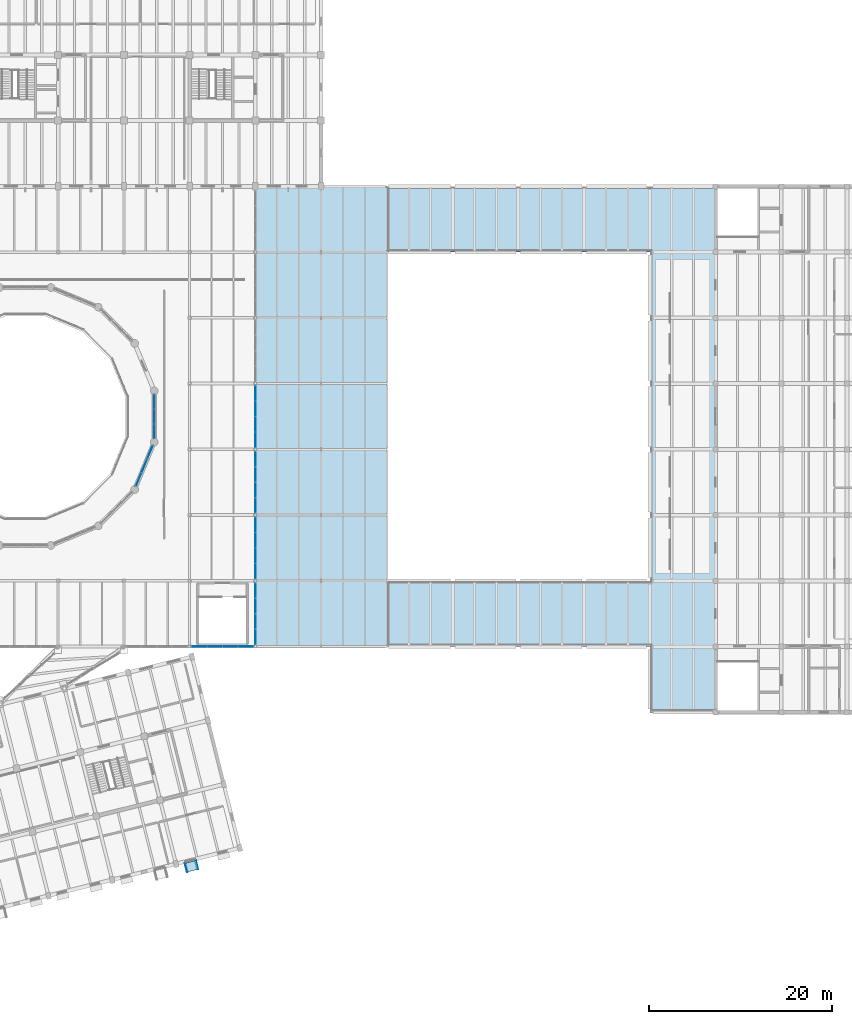
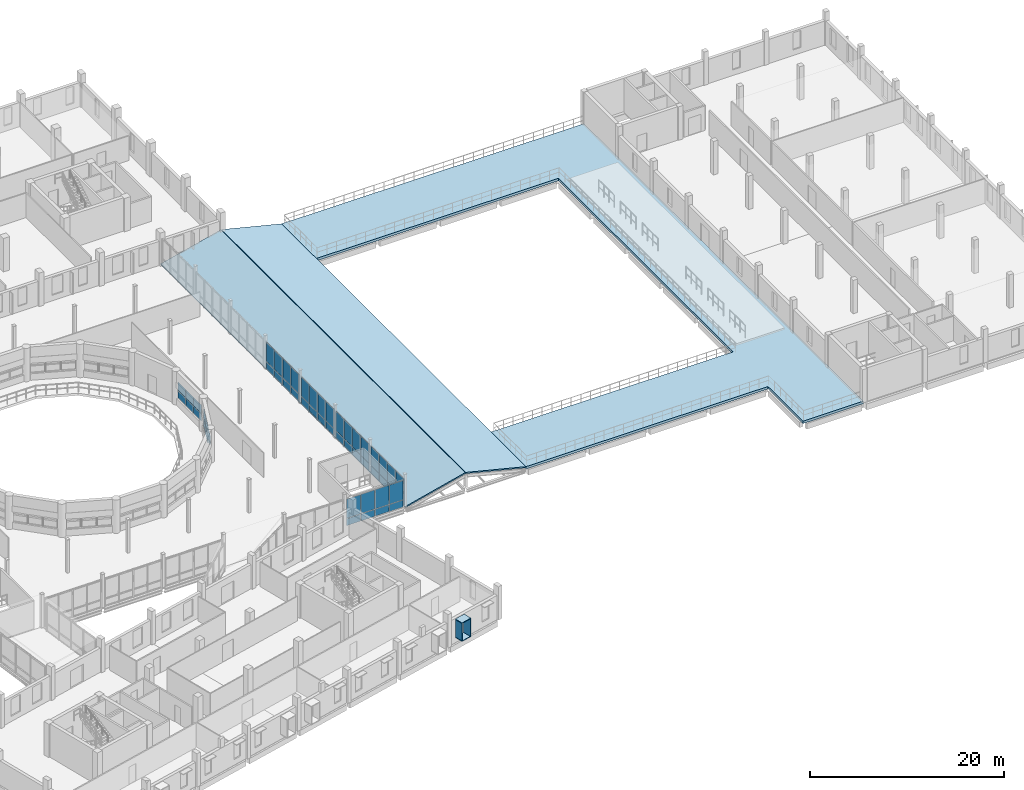
# One storey, part 41 of 63: 55 plates, 3 slabs, 7 elements without a shape of their own.
"""IFC4 building model written with IfcOpenShell, lengths in metres."""

from ifc_helpers import new_model, si_unit, direction, frame, frame_2d, origin, origin_2d, place, context, subcontext, project, spatial, polyline, rectangle, outline, extrude, material, layer, layer_set, type_object, element, aggregate, save


model = new_model("IFC4")

# Units and contexts
model_context = context("Model", 3, precision=1e-05, world=origin(), true_north=direction((0.0, 1.0)))
body_context = subcontext(model_context, "Body", "Model", "MODEL_VIEW")
ifc_project = project(units=[si_unit("LENGTHUNIT", "METRE"), si_unit("AREAUNIT", "SQUARE_METRE"), si_unit("VOLUMEUNIT", "CUBIC_METRE"), si_unit("PLANEANGLEUNIT", "RADIAN"), si_unit("MASSUNIT", "GRAM", prefix="KILO")], contexts=[model_context])

# Site, building, storey
site_placement = place(None, origin())
site = spatial("IfcSite", under=ifc_project, at=site_placement, CompositionType="ELEMENT")
building_placement = place(site_placement, origin())
building = spatial("IfcBuilding", under=site, at=building_placement, Name="Qiaolan Assembly House", CompositionType="ELEMENT")
storey_placement = place(building_placement, frame((0.0, 0.0, 14.39990234375)))
storey = spatial("IfcBuildingStorey", under=building, at=storey_placement, Name="L03", CompositionType="ELEMENT", Elevation=14.39990234375)

# Curtain wall, plates
ifc_material_1 = material(Name="Anodised bronze aluminium", Category="aluminium")
curtain_wall_type_1 = type_object("IfcCurtainWallType", Name="CW-DRUM-CLERESTORY", PredefinedType="NOTDEFINED", material=ifc_material_1)
curtain_wall_1_placement = place(storey_placement, origin())
curtain_wall_1 = element("IfcCurtainWall", 1, at=curtain_wall_1_placement, inside=storey, type_object=curtain_wall_type_1, Name="CW-06 Council Chamber Drum Clerestory Curtain Wall 15", PredefinedType="NOTDEFINED")
ifc_material_2 = material(Name="Low-E double insulating glass", Category="glass")
ifc_layer_1 = layer(ifc_material_2, 0.02392578125)
ifc_layer_set_1 = layer_set([ifc_layer_1], Name="Low-E double insulating glass")
plate_type_1 = type_object("IfcPlateType", Name="CW-DRUM-CLERESTORY-PNL", PredefinedType="CURTAIN_PANEL", material=ifc_layer_set_1)
plate_1_placement = place(storey_placement, frame((82.368408203125, 58.0166015625, 0.85107421875), z_axis=(0.0, 0.0, 1.0), x_axis=(-0.382759291467, -0.923848106994, 0.0)))
plate_1 = element("IfcPlate", 2, at=plate_1_placement, type_object=plate_type_1, Name="GL-07 glazing panel CW-DRUM-CLER-14-1", PredefinedType="CURTAIN_PANEL", context=body_context, shape_type="SweptSolid", body=[
    extrude(rectangle(XDim=1.56982421875, YDim=0.02392578125, at=frame_2d((0.784912109375, 0.0))), origin(), (0.0, 0.0, 1.0), 0.8779296875),
])
plate_2_placement = place(storey_placement, frame((82.368408203125, 58.0166015625, 1.77099609375), z_axis=(0.0, 0.0, 1.0), x_axis=(-0.382759291467, -0.923848106994, 0.0)))
plate_2 = element("IfcPlate", 3, at=plate_2_placement, type_object=plate_type_1, Name="GL-07 glazing panel CW-DRUM-CLER-14-2", PredefinedType="CURTAIN_PANEL", context=body_context, shape_type="SweptSolid", body=[
    extrude(rectangle(XDim=1.56982421875, YDim=0.02392578125, at=frame_2d((0.784912109375, 0.0))), origin(), (0.0, 0.0, 1.0), 1.078125),
])
plate_3_placement = place(storey_placement, frame((81.74853515625, 56.520263671875, 0.85107421875), z_axis=(0.0, 0.0, 1.0), x_axis=(-0.382626535499, -0.923903097912, 0.0)))
plate_3 = element("IfcPlate", 4, at=plate_3_placement, type_object=plate_type_1, Name="GL-07 glazing panel CW-DRUM-CLER-14-3", PredefinedType="CURTAIN_PANEL", context=body_context, shape_type="SweptSolid", body=[
    extrude(rectangle(XDim=1.569580078125, YDim=0.02392578125, at=frame_2d((0.78466796875, 0.0))), origin(), (0.0, 0.0, 1.0), 0.8779296875),
])
plate_4_placement = place(storey_placement, frame((81.74853515625, 56.520263671875, 1.77099609375), z_axis=(0.0, 0.0, 1.0), x_axis=(-0.382626535499, -0.923903097912, 0.0)))
plate_4 = element("IfcPlate", 5, at=plate_4_placement, type_object=plate_type_1, Name="GL-07 glazing panel CW-DRUM-CLER-14-4", PredefinedType="CURTAIN_PANEL", context=body_context, shape_type="SweptSolid", body=[
    extrude(rectangle(XDim=1.569580078125, YDim=0.02392578125, at=frame_2d((0.78466796875, 0.0))), origin(), (0.0, 0.0, 1.0), 1.078125),
])
plate_5_placement = place(storey_placement, frame((81.128662109375, 55.02392578125, 1.77099609375), z_axis=(0.0, 0.0, 1.0), x_axis=(-0.382681527377, -0.923880321581, 0.0)))
plate_5 = element("IfcPlate", 6, at=plate_5_placement, type_object=plate_type_1, Name="GL-07 glazing panel CW-DRUM-CLER-14-6", PredefinedType="CURTAIN_PANEL", context=body_context, shape_type="SweptSolid", body=[
    extrude(rectangle(XDim=1.5693359375, YDim=0.02392578125, at=frame_2d((0.78466796875, 0.0))), origin(), (0.0, 0.0, 1.0), 1.078125),
])
aggregate(curtain_wall_1, [plate_1, plate_2, plate_3, plate_4, plate_5])

curtain_wall_2_placement = place(storey_placement, origin())
curtain_wall_2 = element("IfcCurtainWall", 7, at=curtain_wall_2_placement, inside=storey, type_object=curtain_wall_type_1, Name="CW-06 Council Chamber Drum Clerestory Curtain Wall 16", PredefinedType="NOTDEFINED")
plate_6_placement = place(storey_placement, frame((82.523193359375, 63.604248046875, 0.85107421875), z_axis=(0.0, 0.0, 1.0), x_axis=(0.0, -1.0, 0.0)))
plate_6 = element("IfcPlate", 8, at=plate_6_placement, type_object=plate_type_1, Name="GL-07 glazing panel CW-DRUM-CLER-15-1", PredefinedType="CURTAIN_PANEL", context=body_context, shape_type="SweptSolid", body=[
    extrude(rectangle(XDim=1.5693359375, YDim=0.02392578125, at=frame_2d((0.78466796875, 0.0))), origin(), (0.0, 0.0, 1.0), 0.8779296875),
])
plate_7_placement = place(storey_placement, frame((82.523193359375, 63.604248046875, 1.77099609375), z_axis=(0.0, 0.0, 1.0), x_axis=(0.0, -1.0, 0.0)))
plate_7 = element("IfcPlate", 9, at=plate_7_placement, type_object=plate_type_1, Name="GL-07 glazing panel CW-DRUM-CLER-15-2", PredefinedType="CURTAIN_PANEL", context=body_context, shape_type="SweptSolid", body=[
    extrude(rectangle(XDim=1.5693359375, YDim=0.02392578125, at=frame_2d((0.78466796875, 0.0))), origin(), (0.0, 0.0, 1.0), 1.078125),
])
plate_8_placement = place(storey_placement, frame((82.523193359375, 61.98486328125, 0.85107421875), z_axis=(0.0, 0.0, 1.0), x_axis=(0.0, -1.0, 0.0)))
plate_8 = element("IfcPlate", 10, at=plate_8_placement, type_object=plate_type_1, Name="GL-07 glazing panel CW-DRUM-CLER-15-3", PredefinedType="CURTAIN_PANEL", context=body_context, shape_type="SweptSolid", body=[
    extrude(rectangle(XDim=1.569580078125, YDim=0.02392578125, at=frame_2d((0.78466796875, 0.0))), origin(), (0.0, 0.0, 1.0), 0.8779296875),
])
plate_9_placement = place(storey_placement, frame((82.523193359375, 61.98486328125, 1.77099609375), z_axis=(0.0, 0.0, 1.0), x_axis=(0.0, -1.0, 0.0)))
plate_9 = element("IfcPlate", 11, at=plate_9_placement, type_object=plate_type_1, Name="GL-07 glazing panel CW-DRUM-CLER-15-4", PredefinedType="CURTAIN_PANEL", context=body_context, shape_type="SweptSolid", body=[
    extrude(rectangle(XDim=1.569580078125, YDim=0.02392578125, at=frame_2d((0.78466796875, 0.0))), origin(), (0.0, 0.0, 1.0), 1.078125),
])
plate_10_placement = place(storey_placement, frame((82.523193359375, 60.365234375, 0.85107421875), z_axis=(0.0, 0.0, 1.0), x_axis=(0.0, -1.0, 0.0)))
plate_10 = element("IfcPlate", 12, at=plate_10_placement, type_object=plate_type_1, Name="GL-07 glazing panel CW-DRUM-CLER-15-5", PredefinedType="CURTAIN_PANEL", context=body_context, shape_type="SweptSolid", body=[
    extrude(rectangle(XDim=1.569580078125, YDim=0.02392578125, at=frame_2d((0.78466796875, 0.0))), origin(), (0.0, 0.0, 1.0), 0.8779296875),
])
plate_11_placement = place(storey_placement, frame((82.523193359375, 60.365234375, 1.77099609375), z_axis=(0.0, 0.0, 1.0), x_axis=(0.0, -1.0, 0.0)))
plate_11 = element("IfcPlate", 13, at=plate_11_placement, type_object=plate_type_1, Name="GL-07 glazing panel CW-DRUM-CLER-15-6", PredefinedType="CURTAIN_PANEL", context=body_context, shape_type="SweptSolid", body=[
    extrude(rectangle(XDim=1.569580078125, YDim=0.02392578125, at=frame_2d((0.78466796875, 0.0))), origin(), (0.0, 0.0, 1.0), 1.078125),
])
aggregate(curtain_wall_2, [plate_6, plate_7, plate_8, plate_9, plate_10, plate_11])

curtain_wall_type_2 = type_object("IfcCurtainWallType", Name="CW-HALL-CONC-420", PredefinedType="NOTDEFINED", material=ifc_material_1)
curtain_wall_3_placement = place(storey_placement, origin())
curtain_wall_3 = element("IfcCurtainWall", 14, at=curtain_wall_3_placement, inside=storey, type_object=curtain_wall_type_2, Name="CW-07 L03 Concourse South CW 7", PredefinedType="NOTDEFINED")
ifc_layer_2 = layer(ifc_material_2, 0.031005859375)
ifc_layer_set_2 = layer_set([ifc_layer_2], Name="Low-E double insulating glass")
plate_type_2 = type_object("IfcPlateType", Name="CW-HALL-CONC-420-PNL", PredefinedType="CURTAIN_PANEL", material=ifc_layer_set_2)
plate_12_placement = place(storey_placement, frame((86.64306640625, 36.0, 0.05810546875), z_axis=(0.0, 0.0, 1.0), x_axis=(1.0, 0.0, 0.0)))
plate_12 = element("IfcPlate", 15, at=plate_12_placement, type_object=plate_type_2, Name="GL-03 glazing panel CW-HLC-S-06-1", PredefinedType="CURTAIN_PANEL", context=body_context, shape_type="SweptSolid", body=[
    extrude(rectangle(XDim=1.62890625, YDim=0.031005859375, at=frame_2d((0.814453125, 0.0))), origin(), (0.0, 0.0, 1.0), 0.864013671875),
])
plate_13_placement = place(storey_placement, frame((86.64306640625, 36.0, 0.97802734375), z_axis=(0.0, 0.0, 1.0), x_axis=(1.0, 0.0, 0.0)))
plate_13 = element("IfcPlate", 16, at=plate_13_placement, type_object=plate_type_2, Name="GL-03 glazing panel CW-HLC-S-06-2", PredefinedType="CURTAIN_PANEL", context=body_context, shape_type="SweptSolid", body=[
    extrude(rectangle(XDim=1.62890625, YDim=0.031005859375, at=frame_2d((0.814453125, 0.0))), origin(), (0.0, 0.0, 1.0), 2.4140625),
])
plate_14_placement = place(storey_placement, frame((88.337890625, 36.0, 0.05810546875), z_axis=(0.0, 0.0, 1.0), x_axis=(1.0, 0.0, 0.0)))
plate_14 = element("IfcPlate", 17, at=plate_14_placement, type_object=plate_type_2, Name="GL-03 glazing panel CW-HLC-S-06-3", PredefinedType="CURTAIN_PANEL", context=body_context, shape_type="SweptSolid", body=[
    extrude(rectangle(XDim=1.629150390625, YDim=0.031005859375, at=frame_2d((0.814453125, 0.0))), origin(), (0.0, 0.0, 1.0), 0.864013671875),
])
plate_15_placement = place(storey_placement, frame((88.337890625, 36.0, 0.97802734375), z_axis=(0.0, 0.0, 1.0), x_axis=(1.0, 0.0, 0.0)))
plate_15 = element("IfcPlate", 18, at=plate_15_placement, type_object=plate_type_2, Name="GL-03 glazing panel CW-HLC-S-06-4", PredefinedType="CURTAIN_PANEL", context=body_context, shape_type="SweptSolid", body=[
    extrude(rectangle(XDim=1.629150390625, YDim=0.031005859375, at=frame_2d((0.814453125, 0.0))), origin(), (0.0, 0.0, 1.0), 2.4140625),
])
plate_16_placement = place(storey_placement, frame((90.032958984375, 36.0, 0.05810546875), z_axis=(0.0, 0.0, 1.0), x_axis=(1.0, 0.0, 0.0)))
plate_16 = element("IfcPlate", 19, at=plate_16_placement, type_object=plate_type_2, Name="GL-03 glazing panel CW-HLC-S-06-5", PredefinedType="CURTAIN_PANEL", context=body_context, shape_type="SweptSolid", body=[
    extrude(rectangle(XDim=1.629150390625, YDim=0.031005859375, at=frame_2d((0.814453125, 0.0))), origin(), (0.0, 0.0, 1.0), 0.864013671875),
])
plate_17_placement = place(storey_placement, frame((90.032958984375, 36.0, 0.97802734375), z_axis=(0.0, 0.0, 1.0), x_axis=(1.0, 0.0, 0.0)))
plate_17 = element("IfcPlate", 20, at=plate_17_placement, type_object=plate_type_2, Name="GL-03 glazing panel CW-HLC-S-06-6", PredefinedType="CURTAIN_PANEL", context=body_context, shape_type="SweptSolid", body=[
    extrude(rectangle(XDim=1.629150390625, YDim=0.031005859375, at=frame_2d((0.814453125, 0.0))), origin(), (0.0, 0.0, 1.0), 2.4140625),
])
plate_18_placement = place(storey_placement, frame((91.72802734375, 36.0, 0.05810546875), z_axis=(0.0, 0.0, 1.0), x_axis=(1.0, 0.0, 0.0)))
plate_18 = element("IfcPlate", 21, at=plate_18_placement, type_object=plate_type_2, Name="GL-03 glazing panel CW-HLC-S-06-7", PredefinedType="CURTAIN_PANEL", context=body_context, shape_type="SweptSolid", body=[
    extrude(rectangle(XDim=1.62890625, YDim=0.031005859375, at=frame_2d((0.814453125, 0.0))), origin(), (0.0, 0.0, 1.0), 0.864013671875),
])
plate_19_placement = place(storey_placement, frame((91.72802734375, 36.0, 0.97802734375), z_axis=(0.0, 0.0, 1.0), x_axis=(1.0, 0.0, 0.0)))
plate_19 = element("IfcPlate", 22, at=plate_19_placement, type_object=plate_type_2, Name="GL-03 glazing panel CW-HLC-S-06-8", PredefinedType="CURTAIN_PANEL", context=body_context, shape_type="SweptSolid", body=[
    extrude(rectangle(XDim=1.62890625, YDim=0.031005859375, at=frame_2d((0.814453125, 0.0))), origin(), (0.0, 0.0, 1.0), 2.4140625),
])
aggregate(curtain_wall_3, [plate_12, plate_13, plate_14, plate_15, plate_16, plate_17, plate_18, plate_19])

curtain_wall_4_placement = place(storey_placement, origin())
curtain_wall_4 = element("IfcCurtainWall", 23, at=curtain_wall_4_placement, inside=storey, type_object=curtain_wall_type_2, Name="CW-07 L03 Concourse East CW 1", PredefinedType="NOTDEFINED")
plate_20_placement = place(storey_placement, frame((93.60009765625, 42.95703125, 0.05810546875), z_axis=(0.0, 0.0, 1.0), x_axis=(0.0, -1.0, 0.0)))
plate_20 = element("IfcPlate", 24, at=plate_20_placement, type_object=plate_type_2, Name="GL-03 glazing panel CW-HLC-E-00-1", PredefinedType="CURTAIN_PANEL", context=body_context, shape_type="SweptSolid", body=[
    extrude(rectangle(XDim=1.629150390625, YDim=0.031005859375, at=frame_2d((0.814453125, 0.0))), origin(), (0.0, 0.0, 1.0), 0.864013671875),
])
plate_21_placement = place(storey_placement, frame((93.60009765625, 42.95703125, 0.97802734375), z_axis=(0.0, 0.0, 1.0), x_axis=(0.0, -1.0, 0.0)))
plate_21 = element("IfcPlate", 25, at=plate_21_placement, type_object=plate_type_2, Name="GL-03 glazing panel CW-HLC-E-00-2", PredefinedType="CURTAIN_PANEL", context=body_context, shape_type="SweptSolid", body=[
    extrude(rectangle(XDim=1.629150390625, YDim=0.031005859375, at=frame_2d((0.814453125, 0.0))), origin(), (0.0, 0.0, 1.0), 2.4140625),
])
plate_22_placement = place(storey_placement, frame((93.60009765625, 41.261962890625, 0.05810546875), z_axis=(0.0, 0.0, 1.0), x_axis=(0.0, -1.0, 0.0)))
plate_22 = element("IfcPlate", 26, at=plate_22_placement, type_object=plate_type_2, Name="GL-03 glazing panel CW-HLC-E-00-3", PredefinedType="CURTAIN_PANEL", context=body_context, shape_type="SweptSolid", body=[
    extrude(rectangle(XDim=1.62890625, YDim=0.031005859375, at=frame_2d((0.814453125, 0.0))), origin(), (0.0, 0.0, 1.0), 0.864013671875),
])
plate_23_placement = place(storey_placement, frame((93.60009765625, 41.261962890625, 0.97802734375), z_axis=(0.0, 0.0, 1.0), x_axis=(0.0, -1.0, 0.0)))
plate_23 = element("IfcPlate", 27, at=plate_23_placement, type_object=plate_type_2, Name="GL-03 glazing panel CW-HLC-E-00-4", PredefinedType="CURTAIN_PANEL", context=body_context, shape_type="SweptSolid", body=[
    extrude(rectangle(XDim=1.62890625, YDim=0.031005859375, at=frame_2d((0.814453125, 0.0))), origin(), (0.0, 0.0, 1.0), 2.4140625),
])
plate_24_placement = place(storey_placement, frame((93.60009765625, 39.56689453125, 0.05810546875), z_axis=(0.0, 0.0, 1.0), x_axis=(0.0, -1.0, 0.0)))
plate_24 = element("IfcPlate", 28, at=plate_24_placement, type_object=plate_type_2, Name="GL-03 glazing panel CW-HLC-E-00-5", PredefinedType="CURTAIN_PANEL", context=body_context, shape_type="SweptSolid", body=[
    extrude(rectangle(XDim=1.62890625, YDim=0.031005859375, at=frame_2d((0.814453125, 0.0))), origin(), (0.0, 0.0, 1.0), 0.864013671875),
])
plate_25_placement = place(storey_placement, frame((93.60009765625, 39.56689453125, 0.97802734375), z_axis=(0.0, 0.0, 1.0), x_axis=(0.0, -1.0, 0.0)))
plate_25 = element("IfcPlate", 29, at=plate_25_placement, type_object=plate_type_2, Name="GL-03 glazing panel CW-HLC-E-00-6", PredefinedType="CURTAIN_PANEL", context=body_context, shape_type="SweptSolid", body=[
    extrude(rectangle(XDim=1.62890625, YDim=0.031005859375, at=frame_2d((0.814453125, 0.0))), origin(), (0.0, 0.0, 1.0), 2.4140625),
])
plate_26_placement = place(storey_placement, frame((93.60009765625, 37.8720703125, 0.05810546875), z_axis=(0.0, 0.0, 1.0), x_axis=(0.0, -1.0, 0.0)))
plate_26 = element("IfcPlate", 30, at=plate_26_placement, type_object=plate_type_2, Name="GL-03 glazing panel CW-HLC-E-00-7", PredefinedType="CURTAIN_PANEL", context=body_context, shape_type="SweptSolid", body=[
    extrude(rectangle(XDim=1.629150390625, YDim=0.031005859375, at=frame_2d((0.814453125, 0.0))), origin(), (0.0, 0.0, 1.0), 0.864013671875),
])
plate_27_placement = place(storey_placement, frame((93.60009765625, 37.8720703125, 0.97802734375), z_axis=(0.0, 0.0, 1.0), x_axis=(0.0, -1.0, 0.0)))
plate_27 = element("IfcPlate", 31, at=plate_27_placement, type_object=plate_type_2, Name="GL-03 glazing panel CW-HLC-E-00-8", PredefinedType="CURTAIN_PANEL", context=body_context, shape_type="SweptSolid", body=[
    extrude(rectangle(XDim=1.629150390625, YDim=0.031005859375, at=frame_2d((0.814453125, 0.0))), origin(), (0.0, 0.0, 1.0), 2.4140625),
])
aggregate(curtain_wall_4, [plate_20, plate_21, plate_22, plate_23, plate_24, plate_25, plate_26, plate_27])

curtain_wall_5_placement = place(storey_placement, origin())
curtain_wall_5 = element("IfcCurtainWall", 32, at=curtain_wall_5_placement, inside=storey, type_object=curtain_wall_type_2, Name="CW-07 L03 Concourse East CW 2", PredefinedType="NOTDEFINED")
plate_28_placement = place(storey_placement, frame((93.60009765625, 50.156982421875, 0.05810546875), z_axis=(0.0, 0.0, 1.0), x_axis=(0.0, -1.0, 0.0)))
plate_28 = element("IfcPlate", 33, at=plate_28_placement, type_object=plate_type_2, Name="GL-03 glazing panel CW-HLC-E-01-1", PredefinedType="CURTAIN_PANEL", context=body_context, shape_type="SweptSolid", body=[
    extrude(rectangle(XDim=1.62890625, YDim=0.031005859375, at=frame_2d((0.814453125, 0.0))), origin(), (0.0, 0.0, 1.0), 0.864013671875),
])
plate_29_placement = place(storey_placement, frame((93.60009765625, 50.156982421875, 0.97802734375), z_axis=(0.0, 0.0, 1.0), x_axis=(0.0, -1.0, 0.0)))
plate_29 = element("IfcPlate", 34, at=plate_29_placement, type_object=plate_type_2, Name="GL-03 glazing panel CW-HLC-E-01-2", PredefinedType="CURTAIN_PANEL", context=body_context, shape_type="SweptSolid", body=[
    extrude(rectangle(XDim=1.62890625, YDim=0.031005859375, at=frame_2d((0.814453125, 0.0))), origin(), (0.0, 0.0, 1.0), 2.4140625),
])
plate_30_placement = place(storey_placement, frame((93.60009765625, 48.4619140625, 0.05810546875), z_axis=(0.0, 0.0, 1.0), x_axis=(0.0, -1.0, 0.0)))
plate_30 = element("IfcPlate", 35, at=plate_30_placement, type_object=plate_type_2, Name="GL-03 glazing panel CW-HLC-E-01-3", PredefinedType="CURTAIN_PANEL", context=body_context, shape_type="SweptSolid", body=[
    extrude(rectangle(XDim=1.62890625, YDim=0.031005859375, at=frame_2d((0.814453125, 0.0))), origin(), (0.0, 0.0, 1.0), 0.864013671875),
])
plate_31_placement = place(storey_placement, frame((93.60009765625, 48.4619140625, 0.97802734375), z_axis=(0.0, 0.0, 1.0), x_axis=(0.0, -1.0, 0.0)))
plate_31 = element("IfcPlate", 36, at=plate_31_placement, type_object=plate_type_2, Name="GL-03 glazing panel CW-HLC-E-01-4", PredefinedType="CURTAIN_PANEL", context=body_context, shape_type="SweptSolid", body=[
    extrude(rectangle(XDim=1.62890625, YDim=0.031005859375, at=frame_2d((0.814453125, 0.0))), origin(), (0.0, 0.0, 1.0), 2.4140625),
])
plate_32_placement = place(storey_placement, frame((93.60009765625, 46.76708984375, 0.05810546875), z_axis=(0.0, 0.0, 1.0), x_axis=(0.0, -1.0, 0.0)))
plate_32 = element("IfcPlate", 37, at=plate_32_placement, type_object=plate_type_2, Name="GL-03 glazing panel CW-HLC-E-01-5", PredefinedType="CURTAIN_PANEL", context=body_context, shape_type="SweptSolid", body=[
    extrude(rectangle(XDim=1.629150390625, YDim=0.031005859375, at=frame_2d((0.814453125, 0.0))), origin(), (0.0, 0.0, 1.0), 0.864013671875),
])
plate_33_placement = place(storey_placement, frame((93.60009765625, 46.76708984375, 0.97802734375), z_axis=(0.0, 0.0, 1.0), x_axis=(0.0, -1.0, 0.0)))
plate_33 = element("IfcPlate", 38, at=plate_33_placement, type_object=plate_type_2, Name="GL-03 glazing panel CW-HLC-E-01-6", PredefinedType="CURTAIN_PANEL", context=body_context, shape_type="SweptSolid", body=[
    extrude(rectangle(XDim=1.629150390625, YDim=0.031005859375, at=frame_2d((0.814453125, 0.0))), origin(), (0.0, 0.0, 1.0), 2.4140625),
])
plate_34_placement = place(storey_placement, frame((93.60009765625, 45.072021484375, 0.05810546875), z_axis=(0.0, 0.0, 1.0), x_axis=(0.0, -1.0, 0.0)))
plate_34 = element("IfcPlate", 39, at=plate_34_placement, type_object=plate_type_2, Name="GL-03 glazing panel CW-HLC-E-01-7", PredefinedType="CURTAIN_PANEL", context=body_context, shape_type="SweptSolid", body=[
    extrude(rectangle(XDim=1.62890625, YDim=0.031005859375, at=frame_2d((0.814453125, 0.0))), origin(), (0.0, 0.0, 1.0), 0.864013671875),
])
plate_35_placement = place(storey_placement, frame((93.60009765625, 45.072021484375, 0.97802734375), z_axis=(0.0, 0.0, 1.0), x_axis=(0.0, -1.0, 0.0)))
plate_35 = element("IfcPlate", 40, at=plate_35_placement, type_object=plate_type_2, Name="GL-03 glazing panel CW-HLC-E-01-8", PredefinedType="CURTAIN_PANEL", context=body_context, shape_type="SweptSolid", body=[
    extrude(rectangle(XDim=1.62890625, YDim=0.031005859375, at=frame_2d((0.814453125, 0.0))), origin(), (0.0, 0.0, 1.0), 2.4140625),
])
aggregate(curtain_wall_5, [plate_28, plate_29, plate_30, plate_31, plate_32, plate_33, plate_34, plate_35])

curtain_wall_6_placement = place(storey_placement, origin())
curtain_wall_6 = element("IfcCurtainWall", 41, at=curtain_wall_6_placement, inside=storey, type_object=curtain_wall_type_2, Name="CW-07 L03 Concourse East CW 3", PredefinedType="NOTDEFINED")
plate_36_placement = place(storey_placement, frame((93.60009765625, 57.35693359375, 0.05810546875), z_axis=(0.0, 0.0, 1.0), x_axis=(0.0, -1.0, 0.0)))
plate_36 = element("IfcPlate", 42, at=plate_36_placement, type_object=plate_type_2, Name="GL-03 glazing panel CW-HLC-E-02-1", PredefinedType="CURTAIN_PANEL", context=body_context, shape_type="SweptSolid", body=[
    extrude(rectangle(XDim=1.62890625, YDim=0.031005859375, at=frame_2d((0.814453125, 0.0))), origin(), (0.0, 0.0, 1.0), 0.864013671875),
])
plate_37_placement = place(storey_placement, frame((93.60009765625, 57.35693359375, 0.97802734375), z_axis=(0.0, 0.0, 1.0), x_axis=(0.0, -1.0, 0.0)))
plate_37 = element("IfcPlate", 43, at=plate_37_placement, type_object=plate_type_2, Name="GL-03 glazing panel CW-HLC-E-02-2", PredefinedType="CURTAIN_PANEL", context=body_context, shape_type="SweptSolid", body=[
    extrude(rectangle(XDim=1.62890625, YDim=0.031005859375, at=frame_2d((0.814453125, 0.0))), origin(), (0.0, 0.0, 1.0), 2.4140625),
])
plate_38_placement = place(storey_placement, frame((93.60009765625, 55.662109375, 0.05810546875), z_axis=(0.0, 0.0, 1.0), x_axis=(0.0, -1.0, 0.0)))
plate_38 = element("IfcPlate", 44, at=plate_38_placement, type_object=plate_type_2, Name="GL-03 glazing panel CW-HLC-E-02-3", PredefinedType="CURTAIN_PANEL", context=body_context, shape_type="SweptSolid", body=[
    extrude(rectangle(XDim=1.629150390625, YDim=0.031005859375, at=frame_2d((0.814453125, 0.0))), origin(), (0.0, 0.0, 1.0), 0.864013671875),
])
plate_39_placement = place(storey_placement, frame((93.60009765625, 55.662109375, 0.97802734375), z_axis=(0.0, 0.0, 1.0), x_axis=(0.0, -1.0, 0.0)))
plate_39 = element("IfcPlate", 45, at=plate_39_placement, type_object=plate_type_2, Name="GL-03 glazing panel CW-HLC-E-02-4", PredefinedType="CURTAIN_PANEL", context=body_context, shape_type="SweptSolid", body=[
    extrude(rectangle(XDim=1.629150390625, YDim=0.031005859375, at=frame_2d((0.814453125, 0.0))), origin(), (0.0, 0.0, 1.0), 2.4140625),
])
plate_40_placement = place(storey_placement, frame((93.60009765625, 53.967041015625, 0.05810546875), z_axis=(0.0, 0.0, 1.0), x_axis=(0.0, -1.0, 0.0)))
plate_40 = element("IfcPlate", 46, at=plate_40_placement, type_object=plate_type_2, Name="GL-03 glazing panel CW-HLC-E-02-5", PredefinedType="CURTAIN_PANEL", context=body_context, shape_type="SweptSolid", body=[
    extrude(rectangle(XDim=1.629150390625, YDim=0.031005859375, at=frame_2d((0.814453125, 0.0))), origin(), (0.0, 0.0, 1.0), 0.864013671875),
])
plate_41_placement = place(storey_placement, frame((93.60009765625, 53.967041015625, 0.97802734375), z_axis=(0.0, 0.0, 1.0), x_axis=(0.0, -1.0, 0.0)))
plate_41 = element("IfcPlate", 47, at=plate_41_placement, type_object=plate_type_2, Name="GL-03 glazing panel CW-HLC-E-02-6", PredefinedType="CURTAIN_PANEL", context=body_context, shape_type="SweptSolid", body=[
    extrude(rectangle(XDim=1.629150390625, YDim=0.031005859375, at=frame_2d((0.814453125, 0.0))), origin(), (0.0, 0.0, 1.0), 2.4140625),
])
plate_42_placement = place(storey_placement, frame((93.60009765625, 52.27197265625, 0.05810546875), z_axis=(0.0, 0.0, 1.0), x_axis=(0.0, -1.0, 0.0)))
plate_42 = element("IfcPlate", 48, at=plate_42_placement, type_object=plate_type_2, Name="GL-03 glazing panel CW-HLC-E-02-7", PredefinedType="CURTAIN_PANEL", context=body_context, shape_type="SweptSolid", body=[
    extrude(rectangle(XDim=1.62890625, YDim=0.031005859375, at=frame_2d((0.814453125, 0.0))), origin(), (0.0, 0.0, 1.0), 0.864013671875),
])
plate_43_placement = place(storey_placement, frame((93.60009765625, 52.27197265625, 0.97802734375), z_axis=(0.0, 0.0, 1.0), x_axis=(0.0, -1.0, 0.0)))
plate_43 = element("IfcPlate", 49, at=plate_43_placement, type_object=plate_type_2, Name="GL-03 glazing panel CW-HLC-E-02-8", PredefinedType="CURTAIN_PANEL", context=body_context, shape_type="SweptSolid", body=[
    extrude(rectangle(XDim=1.62890625, YDim=0.031005859375, at=frame_2d((0.814453125, 0.0))), origin(), (0.0, 0.0, 1.0), 2.4140625),
])
aggregate(curtain_wall_6, [plate_36, plate_37, plate_38, plate_39, plate_40, plate_41, plate_42, plate_43])

curtain_wall_7_placement = place(storey_placement, origin())
curtain_wall_7 = element("IfcCurtainWall", 50, at=curtain_wall_7_placement, inside=storey, type_object=curtain_wall_type_2, Name="CW-07 L03 Concourse East CW 4", PredefinedType="NOTDEFINED")
plate_44_placement = place(storey_placement, frame((93.60009765625, 64.556884765625, 0.05810546875), z_axis=(0.0, 0.0, 1.0), x_axis=(0.0, -1.0, 0.0)))
plate_44 = element("IfcPlate", 51, at=plate_44_placement, type_object=plate_type_2, Name="GL-03 glazing panel CW-HLC-E-03-1", PredefinedType="CURTAIN_PANEL", context=body_context, shape_type="SweptSolid", body=[
    extrude(rectangle(XDim=1.62890625, YDim=0.031005859375, at=frame_2d((0.814453125, 0.0))), origin(), (0.0, 0.0, 1.0), 0.864013671875),
])
plate_45_placement = place(storey_placement, frame((93.60009765625, 64.556884765625, 0.97802734375), z_axis=(0.0, 0.0, 1.0), x_axis=(0.0, -1.0, 0.0)))
plate_45 = element("IfcPlate", 52, at=plate_45_placement, type_object=plate_type_2, Name="GL-03 glazing panel CW-HLC-E-03-2", PredefinedType="CURTAIN_PANEL", context=body_context, shape_type="SweptSolid", body=[
    extrude(rectangle(XDim=1.62890625, YDim=0.031005859375, at=frame_2d((0.814453125, 0.0))), origin(), (0.0, 0.0, 1.0), 2.4140625),
])
plate_46_placement = place(storey_placement, frame((93.60009765625, 62.862060546875, 0.05810546875), z_axis=(0.0, 0.0, 1.0), x_axis=(0.0, -1.0, 0.0)))
plate_46 = element("IfcPlate", 53, at=plate_46_placement, type_object=plate_type_2, Name="GL-03 glazing panel CW-HLC-E-03-3", PredefinedType="CURTAIN_PANEL", context=body_context, shape_type="SweptSolid", body=[
    extrude(rectangle(XDim=1.629150390625, YDim=0.031005859375, at=frame_2d((0.814453125, 0.0))), origin(), (0.0, 0.0, 1.0), 0.864013671875),
])
plate_47_placement = place(storey_placement, frame((93.60009765625, 62.862060546875, 0.97802734375), z_axis=(0.0, 0.0, 1.0), x_axis=(0.0, -1.0, 0.0)))
plate_47 = element("IfcPlate", 54, at=plate_47_placement, type_object=plate_type_2, Name="GL-03 glazing panel CW-HLC-E-03-4", PredefinedType="CURTAIN_PANEL", context=body_context, shape_type="SweptSolid", body=[
    extrude(rectangle(XDim=1.629150390625, YDim=0.031005859375, at=frame_2d((0.814453125, 0.0))), origin(), (0.0, 0.0, 1.0), 2.4140625),
])
plate_48_placement = place(storey_placement, frame((93.60009765625, 61.1669921875, 0.05810546875), z_axis=(0.0, 0.0, 1.0), x_axis=(0.0, -1.0, 0.0)))
plate_48 = element("IfcPlate", 55, at=plate_48_placement, type_object=plate_type_2, Name="GL-03 glazing panel CW-HLC-E-03-5", PredefinedType="CURTAIN_PANEL", context=body_context, shape_type="SweptSolid", body=[
    extrude(rectangle(XDim=1.62890625, YDim=0.031005859375, at=frame_2d((0.814453125, 0.0))), origin(), (0.0, 0.0, 1.0), 0.864013671875),
])
plate_49_placement = place(storey_placement, frame((93.60009765625, 61.1669921875, 0.97802734375), z_axis=(0.0, 0.0, 1.0), x_axis=(0.0, -1.0, 0.0)))
plate_49 = element("IfcPlate", 56, at=plate_49_placement, type_object=plate_type_2, Name="GL-03 glazing panel CW-HLC-E-03-6", PredefinedType="CURTAIN_PANEL", context=body_context, shape_type="SweptSolid", body=[
    extrude(rectangle(XDim=1.62890625, YDim=0.031005859375, at=frame_2d((0.814453125, 0.0))), origin(), (0.0, 0.0, 1.0), 2.4140625),
])
plate_50_placement = place(storey_placement, frame((93.60009765625, 59.471923828125, 0.05810546875), z_axis=(0.0, 0.0, 1.0), x_axis=(0.0, -1.0, 0.0)))
plate_50 = element("IfcPlate", 57, at=plate_50_placement, type_object=plate_type_2, Name="GL-03 glazing panel CW-HLC-E-03-7", PredefinedType="CURTAIN_PANEL", context=body_context, shape_type="SweptSolid", body=[
    extrude(rectangle(XDim=1.62890625, YDim=0.031005859375, at=frame_2d((0.814453125, 0.0))), origin(), (0.0, 0.0, 1.0), 0.864013671875),
])
plate_51_placement = place(storey_placement, frame((93.60009765625, 59.471923828125, 0.97802734375), z_axis=(0.0, 0.0, 1.0), x_axis=(0.0, -1.0, 0.0)))
plate_51 = element("IfcPlate", 58, at=plate_51_placement, type_object=plate_type_2, Name="GL-03 glazing panel CW-HLC-E-03-8", PredefinedType="CURTAIN_PANEL", context=body_context, shape_type="SweptSolid", body=[
    extrude(rectangle(XDim=1.62890625, YDim=0.031005859375, at=frame_2d((0.814453125, 0.0))), origin(), (0.0, 0.0, 1.0), 2.4140625),
])
aggregate(curtain_wall_7, [plate_44, plate_45, plate_46, plate_47, plate_48, plate_49, plate_50, plate_51])

# Plates
ifc_material_3 = material(Name="Honed pale limestone", Category="masonry")
ifc_layer_3 = layer(ifc_material_3, 0.0849609375)
ifc_layer_set_3 = layer_set([ifc_layer_3], Name="Honed pale limestone")
plate_type_3 = type_object("IfcPlateType", Name="PLT-WINBOX-CHEEK", PredefinedType="SHEET", material=ifc_layer_set_3)
for number, where, z_axis, x_axis, name in (
    (59, (86.0400390625, 11.796142578125, 0.7001953125), (0.0, 0.0, 1.0), (0.970295726276, 0.2419218956, 0.0), "WB-02 projecting window-box cheek CL SES-L03-07-0"),
    (60, (87.18994140625, 12.082763671875, 0.7001953125), (0.0, 0.0, 1.0), (0.970295726276, 0.2419218956, 0.0), "WB-02 projecting window-box cheek CR SES-L03-07-0"),
):
    element("IfcPlate", number, at=place(storey_placement, frame(where, z_axis=z_axis, x_axis=x_axis)), inside=storey, type_object=plate_type_3, Name=name, PredefinedType="SHEET", context=body_context, shape_type="SweptSolid", body=[
        extrude(rectangle(XDim=0.0849609375, YDim=1.0, at=origin_2d()), origin(), (0.0, 0.0, 1.0), 2.18994140625),
    ])
ifc_layer_4 = layer(ifc_material_3, 0.080078125)
ifc_layer_set_4 = layer_set([ifc_layer_4], Name="Honed pale limestone")
plate_type_4 = type_object("IfcPlateType", Name="PLT-WINBOX-SURROUND", PredefinedType="SHEET", material=ifc_layer_set_4)
for number, where, name in (
    (61, (0.0, 0.0, 0.6201171875), "WB-01 projecting limestone window-box sill SES-L03-07-0"),
    (62, (0.0, 0.0, 2.89013671875), "WB-01 projecting limestone window-box hood SES-L03-07-0"),
):
    element("IfcPlate", number, at=place(storey_placement, frame(where)), inside=storey, type_object=plate_type_4, Name=name, PredefinedType="SHEET", context=body_context, shape_type="SweptSolid", body=[
        extrude(outline(polyline([(86.119873046875, 11.30078125), (87.35205078125, 11.60791015625), (87.110107421875, 12.578369140625), (85.8779296875, 12.27099609375), (86.119873046875, 11.30078125)])), origin(), (0.0, 0.0, 1.0), 0.080078125),
    ])

# Slabs
ifc_material_4 = material(Name="Concrete C40/50", Category="concrete")
ifc_layer_5 = layer(ifc_material_4, 0.31005859375)
ifc_layer_set_5 = layer_set([ifc_layer_5], Name="Concrete C40/50")
slab_type_1 = type_object("IfcSlabType", Name="SLB-ROOF-GARDEN-310", PredefinedType="ROOF", material=ifc_layer_set_5)
slab_placement = place(storey_placement, frame((0.0, 0.0, -0.309814453125)))
element("IfcSlab", 63, at=slab_placement, inside=storey, type_object=slab_type_1, Name="RS-02 East Cloister Planted Roof Garden Slab L03", PredefinedType="ROOF", context=body_context, shape_type="SweptSolid", body=[
    extrude(outline(polyline([(108.0, 36.0), (136.800048828125, 36.0), (136.800048828125, 28.800048828125), (144.0, 28.800048828125), (144.0, 86.39990234375), (108.0, 86.39990234375), (108.0, 79.199951171875), (136.800048828125, 79.199951171875), (136.800048828125, 43.199951171875), (108.0, 43.199951171875), (108.0, 36.0)])), origin(), (0.0, 0.0, 1.0), 0.309814453125),
])
ifc_material_5 = material(Name="Low-E tempered safety skylight glass", Category="glass")
ifc_layer_6 = layer(ifc_material_5, 0.155029296875)
ifc_layer_set_6 = layer_set([ifc_layer_6], Name="Low-E tempered safety skylight glass")
slab_type_2 = type_object("IfcSlabType", Name="SLB-ROOF-SKYLIGHT-155", PredefinedType="ROOF", material=ifc_layer_set_6)
for number, where, z_axis, x_axis, name in (
    (64, (93.60009765625, 36.0, 0.0), (-0.241951725469, 0.0, 0.970288288367), (0.970288288367, 0.0, 0.241951725469), "RS-05 E Hall Skylight Roof West Slope (14 deg)"),
    (65, (100.840087890625, 36.0, 1.785400390625), (0.241951725469, 0.0, 0.970288288367), (0.970288288367, 0.0, -0.241951725469), "RS-05 E Hall Skylight Roof East Slope (14 deg)"),
):
    element("IfcSlab", number, at=place(storey_placement, frame(where, z_axis=z_axis, x_axis=x_axis)), inside=storey, type_object=slab_type_2, Name=name, PredefinedType="ROOF", context=body_context, shape_type="SweptSolid", body=[
        extrude(outline(polyline([(0.0, 0.0), (7.379159570629889, 0.0), (7.379159570629889, 50.39990234375), (0.0, 50.39990234375), (0.0, 0.0)])), origin(), (0.0, 0.0, -1.0), 0.155029296875),
    ])

save(model, "model.ifc")
